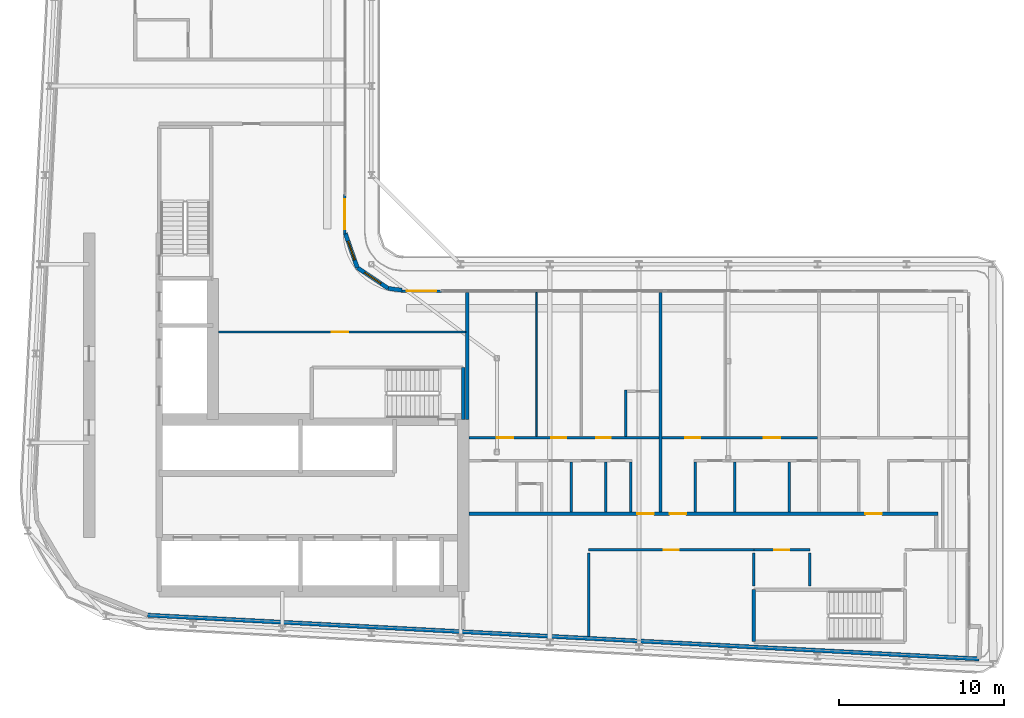
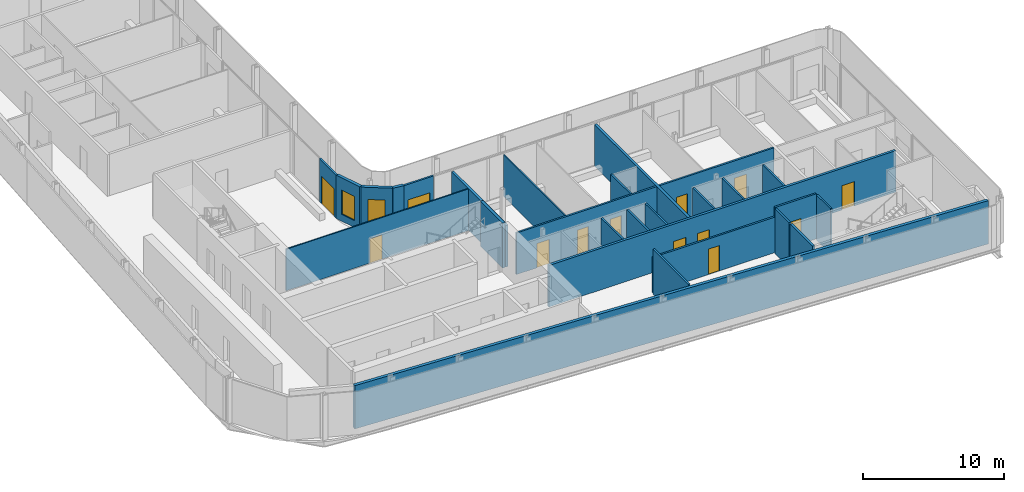
# One storey, part 11 of 21: 27 walls, 13 doors, 2 windows, 15 openings.
"""IFC4 building model written with IfcOpenShell, lengths in metres."""

from ifc_helpers import new_model, si_unit, direction, frame, frame_2d, origin, place, context, subcontext, project, spatial, rectangle, extrude, source, transform, mapped, material, layer, layer_set, type_object, element, fill, save


model = new_model("IFC4")

# Units and contexts
model_context = context("Model", 3, precision=1e-05, world=origin(), true_north=direction((0.0, 1.0)))
body_context = subcontext(model_context, "Body", "Model", "MODEL_VIEW")
ifc_project = project(units=[si_unit("LENGTHUNIT", "METRE"), si_unit("AREAUNIT", "SQUARE_METRE"), si_unit("VOLUMEUNIT", "CUBIC_METRE"), si_unit("PLANEANGLEUNIT", "RADIAN"), si_unit("MASSUNIT", "GRAM", prefix="KILO")], contexts=[model_context])

# Site, building, storey
site_placement = place(None, origin())
site = spatial("IfcSite", under=ifc_project, at=site_placement, CompositionType="ELEMENT")
building_placement = place(site_placement, origin())
building = spatial("IfcBuilding", under=site, at=building_placement, Name="Kheshtan School and Residences Tower", CompositionType="ELEMENT")
storey_placement = place(building_placement, frame((0.0, 0.0, 220.10009765625)))
storey = spatial("IfcBuildingStorey", under=building, at=storey_placement, Name="L51", CompositionType="ELEMENT", Elevation=220.10009765625)

# Wall, openings, doors
ifc_material_1 = material(Name="Gypsum board on steel studs with fire boards", Category="steel")
ifc_layer_1 = layer(ifc_material_1, 0.199951171875)
ifc_layer_set_1 = layer_set([ifc_layer_1], Name="Corridor wall 200")
wall_type_1 = type_object("IfcWallType", Name="Corridor wall 200", PredefinedType="PARTITIONING", material=ifc_layer_set_1)
wall_1_placement = place(storey_placement, frame((53.4990234375, 30.5, 0.0), z_axis=(0.0, 0.0, 1.0), x_axis=(1.0, 0.0, 0.0)))
wall_1 = element("IfcWall", 1, at=wall_1_placement, inside=storey, type_object=wall_type_1, Name="Partition L51-024", PredefinedType="PARTITIONING", context=body_context, shape_type="SweptSolid", body=[
    extrude(rectangle(XDim=28.40087890625, YDim=0.199951171875, at=frame_2d((14.200439453125, 0.0))), origin(), (0.0, 0.0, 1.0), 3.599853515625),
])
opening_1_placement = place(wall_1_placement, frame((10.200927734375, 0.0, 0.0)))
opening_1 = element("IfcOpeningElement", 2, at=opening_1_placement, cuts=wall_1, Name="Opening D50-004", PredefinedType="OPENING", context=body_context, shape_type="SweptSolid", body=[
    extrude(rectangle(XDim=1.0, YDim=2.10009765625, at=frame_2d((0.5, 1.050048828125))), frame((0.0, 0.10986328125, 0.0), z_axis=(0.0, -1.0, 0.0), x_axis=(1.0, 0.0, 0.0)), (0.0, 0.0, 1.0), 0.219970703125),
])
opening_2_placement = place(wall_1_placement, frame((12.15087890625, 0.0, 0.0)))
opening_2 = element("IfcOpeningElement", 3, at=opening_2_placement, cuts=wall_1, Name="Opening D50-013", PredefinedType="OPENING", context=body_context, shape_type="SweptSolid", body=[
    extrude(rectangle(XDim=1.0, YDim=2.10009765625, at=frame_2d((0.5, 1.050048828125))), frame((0.0, 0.10986328125, 0.0), z_axis=(0.0, -1.0, 0.0), x_axis=(1.0, 0.0, 0.0)), (0.0, 0.0, 1.0), 0.219970703125),
])
opening_3_placement = place(wall_1_placement, frame((24.0009765625, 0.0, 0.0)))
opening_3 = element("IfcOpeningElement", 4, at=opening_3_placement, cuts=wall_1, Name="Opening D50-019", PredefinedType="OPENING", context=body_context, shape_type="SweptSolid", body=[
    extrude(rectangle(XDim=1.0, YDim=2.10009765625, at=frame_2d((0.5, 1.050048828125))), frame((0.0, 0.10986328125, 0.0), z_axis=(0.0, -1.0, 0.0), x_axis=(1.0, 0.0, 0.0)), (0.0, 0.0, 1.0), 0.219970703125),
])
ifc_material_2 = material(Name="Steel-framed fire-resisting door leaf", Category="steel")
door_type_1 = type_object("IfcDoorType", Name="Fire door FD30S 1000 x 2100", OperationType="SINGLE_SWING_LEFT", PredefinedType="DOOR", material=ifc_material_2)
shared_shape_1 = source(origin(), body_context, "Body", "SweptSolid", [
    extrude(rectangle(XDim=1.0, YDim=2.10009765625, at=frame_2d((0.5, 1.050048828125))), frame((0.0, 0.02490234375, 0.0), z_axis=(0.0, -1.0, 0.0), x_axis=(1.0, 0.0, 0.0)), (0.0, 0.0, 1.0), 0.050048828125),
])
door_1_placement = place(opening_1_placement, origin())
door_1 = element("IfcDoor", 5, at=door_1_placement, inside=storey, type_object=door_type_1, Name="Door D50-004", OperationType="SINGLE_SWING_RIGHT", OverallHeight=2.10009765625, OverallWidth=1.0, PredefinedType="DOOR", context=body_context, shape_type="MappedRepresentation", body=[
    mapped(shared_shape_1, transform((0.0, 0.0, 0.0), x_axis=(1.0, 0.0, 0.0), y_axis=(0.0, 1.0, 0.0), z_axis=(0.0, 0.0, 1.0), scale=1.0)),
])
fill(opening_1, door_1)
door_2_placement = place(opening_2_placement, origin())
door_2 = element("IfcDoor", 6, at=door_2_placement, inside=storey, type_object=door_type_1, Name="Door D50-013", OperationType="SINGLE_SWING_RIGHT", OverallHeight=2.10009765625, OverallWidth=1.0, PredefinedType="DOOR", context=body_context, shape_type="MappedRepresentation", body=[
    mapped(shared_shape_1, transform((0.0, 0.0, 0.0), x_axis=(1.0, 0.0, 0.0), y_axis=(0.0, 1.0, 0.0), z_axis=(0.0, 0.0, 1.0), scale=1.0)),
])
fill(opening_2, door_2)
door_3_placement = place(opening_3_placement, origin())
door_3 = element("IfcDoor", 7, at=door_3_placement, inside=storey, type_object=door_type_1, Name="Door D50-019", OperationType="SINGLE_SWING_RIGHT", OverallHeight=2.10009765625, OverallWidth=1.0, PredefinedType="DOOR", context=body_context, shape_type="MappedRepresentation", body=[
    mapped(shared_shape_1, transform((0.0, 0.0, 0.0), x_axis=(1.0, 0.0, 0.0), y_axis=(0.0, 1.0, 0.0), z_axis=(0.0, 0.0, 1.0), scale=1.0)),
])
fill(opening_3, door_3)

# Wall, opening, window
ifc_material_3 = material(Name="Concrete C40/50 with ceramic cladding and mineral wool insulation", Category="concrete")
ifc_layer_2 = layer(ifc_material_3, 0.25)
ifc_layer_set_2 = layer_set([ifc_layer_2], Name="External wall 250 ceramic clad")
wall_type_2 = type_object("IfcWallType", Name="External wall 250 ceramic clad", PredefinedType="SOLIDWALL", material=ifc_layer_set_2)
wall_2_placement = place(storey_placement, frame((46.01806640625, 47.470947265625, 0.0), z_axis=(0.0, 0.0, 1.0), x_axis=(0.328791208903, -0.944402637093, 0.0)))
wall_2 = element("IfcWall", 8, at=wall_2_placement, inside=storey, type_object=wall_type_2, Name="External wall L51 5", PredefinedType="SOLIDWALL", context=body_context, shape_type="SweptSolid", body=[
    extrude(rectangle(XDim=2.20458984375, YDim=0.25, at=frame_2d((1.102294921875, 0.0))), origin(), (0.0, 0.0, 1.0), 3.75),
])
opening_4_placement = place(wall_2_placement, frame((0.5029296875, 0.0, 0.60009765625)))
opening_4 = element("IfcOpeningElement", 9, at=opening_4_placement, cuts=wall_2, Name="Opening WN-E", PredefinedType="OPENING", context=body_context, shape_type="SweptSolid", body=[
    extrude(rectangle(XDim=1.199951171875, YDim=2.10009765625, at=frame_2d((0.60009765625, 1.050048828125))), frame((0.0, 0.135009765625, 0.0), z_axis=(0.0, -1.0, 0.0), x_axis=(1.0, 0.0, 0.0)), (0.0, 0.0, 1.0), 0.27001953125),
])
ifc_material_4 = material(Name="Clear low-e glass in thermally broken aluminium frame", Category="aluminium")
window_type = type_object("IfcWindowType", Name="Window WN-E", PartitioningType="SINGLE_PANEL", PredefinedType="WINDOW", material=ifc_material_4)
shared_shape_2 = source(origin(), body_context, "Body", "SweptSolid", [
    extrude(rectangle(XDim=1.199951171875, YDim=2.10009765625, at=frame_2d((0.60009765625, 1.050048828125))), frame((0.0, 0.030029296875, 0.0), z_axis=(0.0, -1.0, 0.0), x_axis=(1.0, 0.0, 0.0)), (0.0, 0.0, 1.0), 0.06005859375),
])
window_1_placement = place(opening_4_placement, origin())
window_1 = element("IfcWindow", 10, at=window_1_placement, inside=storey, type_object=window_type, Name="Window L51 5", OverallHeight=2.10009765625, OverallWidth=1.199951171875, PartitioningType="SINGLE_PANEL", PredefinedType="WINDOW", context=body_context, shape_type="MappedRepresentation", body=[
    mapped(shared_shape_2, transform((0.0, 0.0, 0.0), x_axis=(1.0, 0.0, 0.0), y_axis=(0.0, 1.0, 0.0), z_axis=(0.0, 0.0, 1.0), scale=1.0)),
])
fill(opening_4, window_1)

wall_3_placement = place(storey_placement, frame((46.742919921875, 45.388916015625, 0.0), z_axis=(0.0, 0.0, 1.0), x_axis=(0.831449265529, -0.555600682912, 0.0)))
wall_3 = element("IfcWall", 11, at=wall_3_placement, inside=storey, type_object=wall_type_2, Name="External wall L51 6", PredefinedType="SOLIDWALL", context=body_context, shape_type="SweptSolid", body=[
    extrude(rectangle(XDim=2.25146484375, YDim=0.25, at=frame_2d((1.125732421875, 0.0))), origin(), (0.0, 0.0, 1.0), 3.75),
])
opening_5_placement = place(wall_3_placement, frame((0.52490234375, 0.0, 0.60009765625)))
opening_5 = element("IfcOpeningElement", 12, at=opening_5_placement, cuts=wall_3, Name="Opening WN-E", PredefinedType="OPENING", context=body_context, shape_type="SweptSolid", body=[
    extrude(rectangle(XDim=1.199951171875, YDim=2.10009765625, at=frame_2d((0.60009765625, 1.050048828125))), frame((0.0, 0.135009765625, 0.0), z_axis=(0.0, -1.0, 0.0), x_axis=(1.0, 0.0, 0.0)), (0.0, 0.0, 1.0), 0.27001953125),
])
window_2_placement = place(opening_5_placement, origin())
window_2 = element("IfcWindow", 13, at=window_2_placement, inside=storey, type_object=window_type, Name="Window L51 6", OverallHeight=2.10009765625, OverallWidth=1.199951171875, PartitioningType="SINGLE_PANEL", PredefinedType="WINDOW", context=body_context, shape_type="MappedRepresentation", body=[
    mapped(shared_shape_2, transform((0.0, 0.0, 0.0), x_axis=(1.0, 0.0, 0.0), y_axis=(0.0, 1.0, 0.0), z_axis=(0.0, 0.0, 1.0), scale=1.0)),
])
fill(opening_5, window_2)

# Walls
wall_4_placement = place(storey_placement, frame((48.614990234375, 44.137939453125, 0.0), z_axis=(0.0, 0.0, 1.0), x_axis=(0.990741504246, -0.135761819977, 0.0)))
element("IfcWall", 14, at=wall_4_placement, inside=storey, type_object=wall_type_2, Name="External wall L51 7", PredefinedType="SOLIDWALL", context=body_context, shape_type="SweptSolid", body=[
    extrude(rectangle(XDim=0.83984375, YDim=0.25, at=frame_2d((0.419921875, 0.0))), origin(), (0.0, 0.0, 1.0), 3.75),
])
wall_5_placement = place(storey_placement, frame((84.385986328125, 21.702880859375, 0.0), z_axis=(0.0, 0.0, 1.0), x_axis=(-0.998617508267, 0.05256493302, 0.0)))
element("IfcWall", 15, at=wall_5_placement, inside=storey, type_object=wall_type_2, Name="External wall L51 12", PredefinedType="SOLIDWALL", context=body_context, shape_type="SweptSolid", body=[
    extrude(rectangle(XDim=50.41650390625, YDim=0.25, at=frame_2d((25.208251953125, 0.0))), origin(), (0.0, 0.0, 1.0), 3.75),
])

# Wall, opening, door
ifc_material_5 = material(Name="Aluminium frame wall with insulated infill", Category="aluminium")
ifc_layer_3 = layer(ifc_material_5, 0.14990234375)
ifc_layer_set_3 = layer_set([ifc_layer_3], Name="Glazing frame wall 150")
wall_type_3 = type_object("IfcWallType", Name="Glazing frame wall 150", PredefinedType="SOLIDWALL", material=ifc_layer_set_3)
wall_6_placement = place(storey_placement, frame((45.97509765625, 49.830078125, 0.0), z_axis=(0.0, 0.0, 1.0), x_axis=(0.0, -1.0, 0.0)))
wall_6 = element("IfcWall", 16, at=wall_6_placement, inside=storey, type_object=wall_type_3, Name="Balcony door wall L51 4.4", PredefinedType="SOLIDWALL", context=body_context, shape_type="SweptSolid", body=[
    extrude(rectangle(XDim=2.400146484375, YDim=0.14990234375, at=frame_2d((1.2001953125, 0.0))), origin(), (0.0, 0.0, 1.0), 3.75),
])
opening_6_placement = place(wall_6_placement, frame((0.300048828125, 0.0, 0.0)))
opening_6 = element("IfcOpeningElement", 17, at=opening_6_placement, cuts=wall_6, Name="Opening BD", PredefinedType="OPENING", context=body_context, shape_type="SweptSolid", body=[
    extrude(rectangle(XDim=1.800048828125, YDim=2.39990234375, at=frame_2d((0.89990234375, 1.199951171875))), frame((0.0, 0.0849609375, 0.0), z_axis=(0.0, -1.0, 0.0), x_axis=(1.0, 0.0, 0.0)), (0.0, 0.0, 1.0), 0.169921875),
])
door_type_2 = type_object("IfcDoorType", Name="Balcony sliding door", OperationType="SLIDING_TO_LEFT", PredefinedType="DOOR", material=ifc_material_4)
shared_shape_3 = source(origin(), body_context, "Body", "SweptSolid", [
    extrude(rectangle(XDim=1.800048828125, YDim=2.39990234375, at=frame_2d((0.89990234375, 1.199951171875))), frame((0.0, 0.02490234375, 0.0), z_axis=(0.0, -1.0, 0.0), x_axis=(1.0, 0.0, 0.0)), (0.0, 0.0, 1.0), 0.050048828125),
])
door_4_placement = place(opening_6_placement, origin())
door_4 = element("IfcDoor", 18, at=door_4_placement, inside=storey, type_object=door_type_2, Name="Balcony door L51 4.4", OperationType="SLIDING_TO_LEFT", OverallHeight=2.39990234375, OverallWidth=1.800048828125, PredefinedType="DOOR", context=body_context, shape_type="MappedRepresentation", body=[
    mapped(shared_shape_3, transform((0.0, 0.0, 0.0), x_axis=(1.0, 0.0, 0.0), y_axis=(0.0, 1.0, 0.0), z_axis=(0.0, 0.0, 1.0), scale=1.0)),
])
fill(opening_6, door_4)

wall_7_placement = place(storey_placement, frame((49.429931640625, 43.97509765625, 0.0), z_axis=(0.0, 0.0, 1.0), x_axis=(1.0, 0.0, 0.0)))
wall_7 = element("IfcWall", 19, at=wall_7_placement, inside=storey, type_object=wall_type_3, Name="Balcony door wall L51 8.1", PredefinedType="SOLIDWALL", context=body_context, shape_type="SweptSolid", body=[
    extrude(rectangle(XDim=2.400146484375, YDim=0.14990234375, at=frame_2d((1.2001953125, 0.0))), origin(), (0.0, 0.0, 1.0), 3.75),
])
opening_7_placement = place(wall_7_placement, frame((0.300048828125, 0.0, 0.0)))
opening_7 = element("IfcOpeningElement", 20, at=opening_7_placement, cuts=wall_7, Name="Opening BD", PredefinedType="OPENING", context=body_context, shape_type="SweptSolid", body=[
    extrude(rectangle(XDim=1.800048828125, YDim=2.39990234375, at=frame_2d((0.89990234375, 1.199951171875))), frame((0.0, 0.0849609375, 0.0), z_axis=(0.0, -1.0, 0.0), x_axis=(1.0, 0.0, 0.0)), (0.0, 0.0, 1.0), 0.169921875),
])
door_5_placement = place(opening_7_placement, origin())
door_5 = element("IfcDoor", 21, at=door_5_placement, inside=storey, type_object=door_type_2, Name="Balcony door L51 8.1", OperationType="SLIDING_TO_LEFT", OverallHeight=2.39990234375, OverallWidth=1.800048828125, PredefinedType="DOOR", context=body_context, shape_type="MappedRepresentation", body=[
    mapped(shared_shape_3, transform((0.0, 0.0, 0.0), x_axis=(1.0, 0.0, 0.0), y_axis=(0.0, 1.0, 0.0), z_axis=(0.0, 0.0, 1.0), scale=1.0)),
])
fill(opening_7, door_5)

ifc_material_6 = material(Name="Gypsum board on steel studs", Category="steel")
ifc_layer_4 = layer(ifc_material_6, 0.10009765625)
ifc_layer_set_4 = layer_set([ifc_layer_4], Name="Gypsum partition 100")
wall_type_4 = type_object("IfcWallType", Name="Gypsum partition 100", PredefinedType="PARTITIONING", material=ifc_layer_set_4)
wall_8_placement = place(storey_placement, frame((38.34912109375, 41.5, 0.0), z_axis=(0.0, 0.0, 1.0), x_axis=(1.0, 0.0, 0.0)))
wall_8 = element("IfcWall", 22, at=wall_8_placement, inside=storey, type_object=wall_type_4, Name="Partition L51-021", PredefinedType="PARTITIONING", context=body_context, shape_type="SweptSolid", body=[
    extrude(rectangle(XDim=14.950927734375, YDim=0.10009765625, at=frame_2d((7.4755859375, 0.0))), origin(), (0.0, 0.0, 1.0), 3.599853515625),
])
opening_8_placement = place(wall_8_placement, frame((6.85107421875, 0.0, 0.0)))
opening_8 = element("IfcOpeningElement", 23, at=opening_8_placement, cuts=wall_8, Name="Opening D50-035", PredefinedType="OPENING", context=body_context, shape_type="SweptSolid", body=[
    extrude(rectangle(XDim=1.0, YDim=2.10009765625, at=frame_2d((0.5, 1.050048828125))), frame((0.0, 0.06005859375, 0.0), z_axis=(0.0, -1.0, 0.0), x_axis=(1.0, 0.0, 0.0)), (0.0, 0.0, 1.0), 0.1201171875),
])
ifc_material_7 = material(Name="Veneered timber door leaf", Category="wood")
door_type_3 = type_object("IfcDoorType", Name="Door 1000 x 2100", OperationType="SINGLE_SWING_LEFT", PredefinedType="DOOR", material=ifc_material_7)
shared_shape_4 = source(origin(), body_context, "Body", "SweptSolid", [
    extrude(rectangle(XDim=1.0, YDim=2.10009765625, at=frame_2d((0.5, 1.050048828125))), frame((0.0, 0.02490234375, 0.0), z_axis=(0.0, -1.0, 0.0), x_axis=(1.0, 0.0, 0.0)), (0.0, 0.0, 1.0), 0.050048828125),
])
door_6_placement = place(opening_8_placement, origin())
door_6 = element("IfcDoor", 24, at=door_6_placement, inside=storey, type_object=door_type_3, Name="Door D50-035", OperationType="SINGLE_SWING_RIGHT", OverallHeight=2.10009765625, OverallWidth=1.0, PredefinedType="DOOR", context=body_context, shape_type="MappedRepresentation", body=[
    mapped(shared_shape_4, transform((0.0, 0.0, 0.0), x_axis=(1.0, 0.0, 0.0), y_axis=(0.0, 1.0, 0.0), z_axis=(0.0, 0.0, 1.0), scale=1.0)),
])
fill(opening_8, door_6)

# Wall
wall_9_placement = place(storey_placement, frame((57.60009765625, 35.175048828125, 0.0), z_axis=(0.0, 0.0, 1.0), x_axis=(0.0, 1.0, 0.0)))
element("IfcWall", 25, at=wall_9_placement, inside=storey, type_object=wall_type_4, Name="Partition L51-029", PredefinedType="PARTITIONING", context=body_context, shape_type="SweptSolid", body=[
    extrude(rectangle(XDim=8.724853515625, YDim=0.10009765625, at=frame_2d((4.3623046875, 0.0))), origin(), (0.0, 0.0, 1.0), 3.599853515625),
])

# Wall, opening, door
ifc_material_8 = material(Name="Fire-board shaft wall system")
ifc_layer_5 = layer(ifc_material_8, 0.14990234375)
ifc_layer_set_5 = layer_set([ifc_layer_5], Name="Service room wall 150")
wall_type_5 = type_object("IfcWallType", Name="Service room wall 150", PredefinedType="PARTITIONING", material=ifc_layer_set_5)
wall_10_placement = place(storey_placement, frame((60.75, 28.300048828125, 0.0), z_axis=(0.0, 0.0, 1.0), x_axis=(1.0, 0.0, 0.0)))
wall_10 = element("IfcWall", 26, at=wall_10_placement, inside=storey, type_object=wall_type_5, Name="Service room wall", PredefinedType="PARTITIONING", context=body_context, shape_type="SweptSolid", body=[
    extrude(rectangle(XDim=10.0, YDim=0.14990234375, at=frame_2d((5.0, 0.0))), origin(), (0.0, 0.0, 1.0), 3.072021484375),
])
opening_9_placement = place(wall_10_placement, frame((4.550048828125, 0.0, 0.0)))
opening_9 = element("IfcOpeningElement", 27, at=opening_9_placement, cuts=wall_10, Name="Opening SR90", PredefinedType="OPENING", context=body_context, shape_type="SweptSolid", body=[
    extrude(rectangle(XDim=0.89990234375, YDim=2.199951171875, at=frame_2d((0.449951171875, 1.10009765625))), frame((0.0, 0.0849609375, 0.0), z_axis=(0.0, -1.0, 0.0), x_axis=(1.0, 0.0, 0.0)), (0.0, 0.0, 1.0), 0.169921875),
])
ifc_material_9 = material(Name="Steel door leaf, galvanised", Category="steel")
door_type_4 = type_object("IfcDoorType", Name="Service room door 900 steel 90 min", OperationType="SINGLE_SWING_LEFT", PredefinedType="DOOR", material=ifc_material_9)
shared_shape_5 = source(origin(), body_context, "Body", "SweptSolid", [
    extrude(rectangle(XDim=0.89990234375, YDim=2.199951171875, at=frame_2d((0.449951171875, 1.10009765625))), frame((0.0, 0.02490234375, 0.0), z_axis=(0.0, -1.0, 0.0), x_axis=(1.0, 0.0, 0.0)), (0.0, 0.0, 1.0), 0.050048828125),
])
door_7_placement = place(opening_9_placement, origin())
door_7 = element("IfcDoor", 28, at=door_7_placement, inside=storey, type_object=door_type_4, Name="Service room door", OperationType="SINGLE_SWING_LEFT", OverallHeight=2.199951171875, OverallWidth=0.89990234375, PredefinedType="DOOR", context=body_context, shape_type="MappedRepresentation", body=[
    mapped(shared_shape_5, transform((0.0, 0.0, 0.0), x_axis=(1.0, 0.0, 0.0), y_axis=(0.0, 1.0, 0.0), z_axis=(0.0, 0.0, 1.0), scale=1.0)),
])
fill(opening_9, door_7)

# Walls
wall_11_placement = place(storey_placement, frame((60.75, 23.074951171875, 0.0), z_axis=(0.0, 0.0, 1.0), x_axis=(0.0, 1.0, 0.0)))
element("IfcWall", 29, at=wall_11_placement, inside=storey, type_object=wall_type_5, Name="Service room wall", PredefinedType="PARTITIONING", context=body_context, shape_type="SweptSolid", body=[
    extrude(rectangle(XDim=5.030029296875, YDim=0.14990234375, at=frame_2d((2.51513671875, 0.0))), origin(), (0.0, 0.0, 1.0), 3.89990234375),
])
wall_12_placement = place(storey_placement, frame((70.75, 26.1201171875, 0.0), z_axis=(0.0, 0.0, 1.0), x_axis=(0.0, 1.0, 0.0)))
element("IfcWall", 30, at=wall_12_placement, inside=storey, type_object=wall_type_5, Name="Service room wall", PredefinedType="PARTITIONING", context=body_context, shape_type="SweptSolid", body=[
    extrude(rectangle(XDim=1.98486328125, YDim=0.14990234375, at=frame_2d((0.992431640625, 0.0))), origin(), (0.0, 0.0, 1.0), 3.89990234375),
])

# Wall, opening, door
wall_13_placement = place(storey_placement, frame((70.75, 28.300048828125, 0.0), z_axis=(0.0, 0.0, 1.0), x_axis=(1.0, 0.0, 0.0)))
wall_13 = element("IfcWall", 31, at=wall_13_placement, inside=storey, type_object=wall_type_5, Name="Service room wall", PredefinedType="PARTITIONING", context=body_context, shape_type="SweptSolid", body=[
    extrude(rectangle(XDim=3.39404296875, YDim=0.14990234375, at=frame_2d((1.697021484375, 0.0))), origin(), (0.0, 0.0, 1.0), 3.89990234375),
])
opening_10_placement = place(wall_13_placement, frame((1.2470703125, 0.0, 0.0)))
opening_10 = element("IfcOpeningElement", 32, at=opening_10_placement, cuts=wall_13, Name="Opening SR90", PredefinedType="OPENING", context=body_context, shape_type="SweptSolid", body=[
    extrude(rectangle(XDim=0.89990234375, YDim=2.199951171875, at=frame_2d((0.449951171875, 1.10009765625))), frame((0.0, 0.0849609375, 0.0), z_axis=(0.0, -1.0, 0.0), x_axis=(1.0, 0.0, 0.0)), (0.0, 0.0, 1.0), 0.169921875),
])
door_8_placement = place(opening_10_placement, origin())
door_8 = element("IfcDoor", 33, at=door_8_placement, inside=storey, type_object=door_type_4, Name="Service room door", OperationType="SINGLE_SWING_LEFT", OverallHeight=2.199951171875, OverallWidth=0.89990234375, PredefinedType="DOOR", context=body_context, shape_type="MappedRepresentation", body=[
    mapped(shared_shape_5, transform((0.0, 0.0, 0.0), x_axis=(1.0, 0.0, 0.0), y_axis=(0.0, 1.0, 0.0), z_axis=(0.0, 0.0, 1.0), scale=1.0)),
])
fill(opening_10, door_8)

# Walls
wall_14_placement = place(storey_placement, frame((74.14404296875, 26.1201171875, 0.0), z_axis=(0.0, 0.0, 1.0), x_axis=(0.0, 1.0, 0.0)))
element("IfcWall", 34, at=wall_14_placement, inside=storey, type_object=wall_type_5, Name="Service room wall", PredefinedType="PARTITIONING", context=body_context, shape_type="SweptSolid", body=[
    extrude(rectangle(XDim=1.98486328125, YDim=0.14990234375, at=frame_2d((0.992431640625, 0.0))), origin(), (0.0, 0.0, 1.0), 3.89990234375),
])
ifc_material_10 = material(Name="Concrete C40/50", Category="concrete")
ifc_layer_6 = layer(ifc_material_10, 0.199951171875)
ifc_layer_set_6 = layer_set([ifc_layer_6], Name="Stair enclosure wall 200 Concrete C40/50")
wall_type_6 = type_object("IfcWallType", Name="Stair enclosure wall 200 Concrete C40/50", PredefinedType="SHEAR", material=ifc_layer_set_6)
wall_15_placement = place(storey_placement, frame((53.14990234375, 36.199951171875, 0.0), z_axis=(0.0, 0.0, 1.0), x_axis=(0.0, 1.0, 0.0)))
element("IfcWall", 35, at=wall_15_placement, inside=storey, type_object=wall_type_6, Name="Stair enclosure wall ST1", PredefinedType="SHEAR", context=body_context, shape_type="SweptSolid", body=[
    extrude(rectangle(XDim=3.150146484375, YDim=0.199951171875, at=frame_2d((1.5751953125, 0.0))), origin(), (0.0, 0.0, 1.0), 3.89990234375),
])
wall_16_placement = place(storey_placement, frame((70.75, 22.75, 0.0), z_axis=(0.0, 0.0, 1.0), x_axis=(0.0, 1.0, 0.0)))
element("IfcWall", 36, at=wall_16_placement, inside=storey, type_object=wall_type_6, Name="Stair enclosure wall ST5", PredefinedType="SHEAR", context=body_context, shape_type="SweptSolid", body=[
    extrude(rectangle(XDim=3.14990234375, YDim=0.199951171875, at=frame_2d((1.574951171875, 0.0))), origin(), (0.0, 0.0, 1.0), 3.89990234375),
])
ifc_material_11 = material(Name="Twin gypsum board on steel studs with mineral wool", Category="steel")
ifc_layer_7 = layer(ifc_material_11, 0.199951171875)
ifc_layer_set_7 = layer_set([ifc_layer_7], Name="Unit demising wall 200")
wall_type_7 = type_object("IfcWallType", Name="Unit demising wall 200", PredefinedType="PARTITIONING", material=ifc_layer_set_7)
wall_17_placement = place(storey_placement, frame((53.39990234375, 36.198974609375, 0.0), z_axis=(0.0, 0.0, 1.0), x_axis=(0.0, 1.0, 0.0)))
element("IfcWall", 37, at=wall_17_placement, inside=storey, type_object=wall_type_7, Name="Partition L51-023", PredefinedType="PARTITIONING", context=body_context, shape_type="SweptSolid", body=[
    extrude(rectangle(XDim=7.700927734375, YDim=0.199951171875, at=frame_2d((3.8505859375, 0.0))), origin(), (0.0, 0.0, 1.0), 3.599853515625),
])
wall_18_placement = place(storey_placement, frame((65.10009765625, 30.60009765625, 0.0), z_axis=(0.0, 0.0, 1.0), x_axis=(0.0, 1.0, 0.0)))
element("IfcWall", 38, at=wall_18_placement, inside=storey, type_object=wall_type_7, Name="Partition L51-037", PredefinedType="PARTITIONING", context=body_context, shape_type="SweptSolid", body=[
    extrude(rectangle(XDim=13.2998046875, YDim=0.199951171875, at=frame_2d((6.64990234375, 0.0))), origin(), (0.0, 0.0, 1.0), 3.599853515625),
])

# Wall, openings, doors
ifc_material_12 = material(Name="Moisture-resistant gypsum board on steel studs", Category="steel")
ifc_layer_8 = layer(ifc_material_12, 0.14990234375)
ifc_layer_set_8 = layer_set([ifc_layer_8], Name="Wet-room partition 150")
wall_type_8 = type_object("IfcWallType", Name="Wet-room partition 150", PredefinedType="PARTITIONING", material=ifc_layer_set_8)
wall_19_placement = place(storey_placement, frame((53.4990234375, 35.10009765625, 0.0), z_axis=(0.0, 0.0, 1.0), x_axis=(1.0, 0.0, 0.0)))
wall_19 = element("IfcWall", 39, at=wall_19_placement, inside=storey, type_object=wall_type_8, Name="Partition L51-026", PredefinedType="PARTITIONING", context=body_context, shape_type="SweptSolid", body=[
    extrude(rectangle(XDim=11.5009765625, YDim=0.14990234375, at=frame_2d((5.75048828125, 0.0))), origin(), (0.0, 0.0, 1.0), 3.599853515625),
])
opening_11_placement = place(wall_19_placement, frame((5.0009765625, 0.0, 0.0)))
opening_11 = element("IfcOpeningElement", 40, at=opening_11_placement, cuts=wall_19, Name="Opening D50-002", PredefinedType="OPENING", context=body_context, shape_type="SweptSolid", body=[
    extrude(rectangle(XDim=0.89990234375, YDim=2.10009765625, at=frame_2d((0.449951171875, 1.050048828125))), frame((0.0, 0.0849609375, 0.0), z_axis=(0.0, -1.0, 0.0), x_axis=(1.0, 0.0, 0.0)), (0.0, 0.0, 1.0), 0.169921875),
])
opening_12_placement = place(wall_19_placement, frame((1.700927734375, 0.0, 0.0)))
opening_12 = element("IfcOpeningElement", 41, at=opening_12_placement, cuts=wall_19, Name="Opening D50-006", PredefinedType="OPENING", context=body_context, shape_type="SweptSolid", body=[
    extrude(rectangle(XDim=1.0, YDim=2.10009765625, at=frame_2d((0.5, 1.050048828125))), frame((0.0, 0.0849609375, 0.0), z_axis=(0.0, -1.0, 0.0), x_axis=(1.0, 0.0, 0.0)), (0.0, 0.0, 1.0), 0.169921875),
])
opening_13_placement = place(wall_19_placement, frame((7.700927734375, 0.0, 0.0)))
opening_13 = element("IfcOpeningElement", 42, at=opening_13_placement, cuts=wall_19, Name="Opening D50-009", PredefinedType="OPENING", context=body_context, shape_type="SweptSolid", body=[
    extrude(rectangle(XDim=0.89990234375, YDim=2.10009765625, at=frame_2d((0.449951171875, 1.050048828125))), frame((0.0, 0.0849609375, 0.0), z_axis=(0.0, -1.0, 0.0), x_axis=(1.0, 0.0, 0.0)), (0.0, 0.0, 1.0), 0.169921875),
])
door_9_placement = place(opening_12_placement, origin())
door_9 = element("IfcDoor", 43, at=door_9_placement, inside=storey, type_object=door_type_3, Name="Door D50-006", OperationType="SINGLE_SWING_RIGHT", OverallHeight=2.10009765625, OverallWidth=1.0, PredefinedType="DOOR", context=body_context, shape_type="MappedRepresentation", body=[
    mapped(shared_shape_4, transform((0.0, 0.0, 0.0), x_axis=(1.0, 0.0, 0.0), y_axis=(0.0, 1.0, 0.0), z_axis=(0.0, 0.0, 1.0), scale=1.0)),
])
fill(opening_12, door_9)
door_type_5 = type_object("IfcDoorType", Name="Door 900 x 2100", OperationType="SINGLE_SWING_LEFT", PredefinedType="DOOR", material=ifc_material_7)
shared_shape_6 = source(origin(), body_context, "Body", "SweptSolid", [
    extrude(rectangle(XDim=0.89990234375, YDim=2.10009765625, at=frame_2d((0.449951171875, 1.050048828125))), frame((0.0, 0.02490234375, 0.0), z_axis=(0.0, -1.0, 0.0), x_axis=(1.0, 0.0, 0.0)), (0.0, 0.0, 1.0), 0.050048828125),
])
door_10_placement = place(opening_11_placement, origin())
door_10 = element("IfcDoor", 44, at=door_10_placement, inside=storey, type_object=door_type_5, Name="Door D50-002", OperationType="SINGLE_SWING_LEFT", OverallHeight=2.10009765625, OverallWidth=0.89990234375, PredefinedType="DOOR", context=body_context, shape_type="MappedRepresentation", body=[
    mapped(shared_shape_6, transform((0.0, 0.0, 0.0), x_axis=(1.0, 0.0, 0.0), y_axis=(0.0, 1.0, 0.0), z_axis=(0.0, 0.0, 1.0), scale=1.0)),
])
fill(opening_11, door_10)
door_11_placement = place(opening_13_placement, origin())
door_11 = element("IfcDoor", 45, at=door_11_placement, inside=storey, type_object=door_type_5, Name="Door D50-009", OperationType="SINGLE_SWING_RIGHT", OverallHeight=2.10009765625, OverallWidth=0.89990234375, PredefinedType="DOOR", context=body_context, shape_type="MappedRepresentation", body=[
    mapped(shared_shape_6, transform((0.0, 0.0, 0.0), x_axis=(1.0, 0.0, 0.0), y_axis=(0.0, 1.0, 0.0), z_axis=(0.0, 0.0, 1.0), scale=1.0)),
])
fill(opening_13, door_11)

# Walls
for number, where, z_axis, x_axis, name in (
    (46, (59.699951171875, 30.60009765625, 0.0), (0.0, 0.0, 1.0), (0.0, 1.0, 0.0), "Partition L51-031"),
    (47, (61.800048828125, 30.60009765625, 0.0), (0.0, 0.0, 1.0), (0.0, 1.0, 0.0), "Partition L51-033"),
):
    element("IfcWall", number, at=place(storey_placement, frame(where, z_axis=z_axis, x_axis=x_axis)), inside=storey, type_object=wall_type_8, Name=name, PredefinedType="PARTITIONING", context=body_context, shape_type="SweptSolid", body=[
        extrude(rectangle(XDim=3.02490234375, YDim=0.14990234375, at=frame_2d((1.512451171875, 0.0))), origin(), (0.0, 0.0, 1.0), 3.599853515625),
    ])
wall_20_placement = place(storey_placement, frame((63.0, 35.175048828125, 0.0), z_axis=(0.0, 0.0, 1.0), x_axis=(0.0, 1.0, 0.0)))
element("IfcWall", 48, at=wall_20_placement, inside=storey, type_object=wall_type_8, Name="Partition L51-034", PredefinedType="PARTITIONING", context=body_context, shape_type="SweptSolid", body=[
    extrude(rectangle(XDim=2.800048828125, YDim=0.14990234375, at=frame_2d((1.39990234375, 0.0))), origin(), (0.0, 0.0, 1.0), 3.599853515625),
])
wall_21_placement = place(storey_placement, frame((63.300048828125, 30.60009765625, 0.0), z_axis=(0.0, 0.0, 1.0), x_axis=(0.0, 1.0, 0.0)))
element("IfcWall", 49, at=wall_21_placement, inside=storey, type_object=wall_type_8, Name="Partition L51-036", PredefinedType="PARTITIONING", context=body_context, shape_type="SweptSolid", body=[
    extrude(rectangle(XDim=3.02490234375, YDim=0.14990234375, at=frame_2d((1.512451171875, 0.0))), origin(), (0.0, 0.0, 1.0), 3.599853515625),
])

# Wall, openings, doors
wall_22_placement = place(storey_placement, frame((65.199951171875, 35.10009765625, 0.0), z_axis=(0.0, 0.0, 1.0), x_axis=(1.0, 0.0, 0.0)))
wall_22 = element("IfcWall", 50, at=wall_22_placement, inside=storey, type_object=wall_type_8, Name="Partition L51-038", PredefinedType="PARTITIONING", context=body_context, shape_type="SweptSolid", body=[
    extrude(rectangle(XDim=9.400146484375, YDim=0.14990234375, at=frame_2d((4.7001953125, 0.0))), origin(), (0.0, 0.0, 1.0), 3.599853515625),
])
opening_14_placement = place(wall_22_placement, frame((1.39990234375, 0.0, 0.0)))
opening_14 = element("IfcOpeningElement", 51, at=opening_14_placement, cuts=wall_22, Name="Opening D50-012", PredefinedType="OPENING", context=body_context, shape_type="SweptSolid", body=[
    extrude(rectangle(XDim=0.89990234375, YDim=2.10009765625, at=frame_2d((0.449951171875, 1.050048828125))), frame((0.0, 0.0849609375, 0.0), z_axis=(0.0, -1.0, 0.0), x_axis=(1.0, 0.0, 0.0)), (0.0, 0.0, 1.0), 0.169921875),
])
opening_15_placement = place(wall_22_placement, frame((6.14990234375, 0.0, 0.0)))
opening_15 = element("IfcOpeningElement", 52, at=opening_15_placement, cuts=wall_22, Name="Opening D50-015", PredefinedType="OPENING", context=body_context, shape_type="SweptSolid", body=[
    extrude(rectangle(XDim=1.0, YDim=2.10009765625, at=frame_2d((0.5, 1.050048828125))), frame((0.0, 0.0849609375, 0.0), z_axis=(0.0, -1.0, 0.0), x_axis=(1.0, 0.0, 0.0)), (0.0, 0.0, 1.0), 0.169921875),
])
door_12_placement = place(opening_15_placement, origin())
door_12 = element("IfcDoor", 53, at=door_12_placement, inside=storey, type_object=door_type_3, Name="Door D50-015", OperationType="SINGLE_SWING_LEFT", OverallHeight=2.10009765625, OverallWidth=1.0, PredefinedType="DOOR", context=body_context, shape_type="MappedRepresentation", body=[
    mapped(shared_shape_4, transform((0.0, 0.0, 0.0), x_axis=(1.0, 0.0, 0.0), y_axis=(0.0, 1.0, 0.0), z_axis=(0.0, 0.0, 1.0), scale=1.0)),
])
fill(opening_15, door_12)
door_13_placement = place(opening_14_placement, origin())
door_13 = element("IfcDoor", 54, at=door_13_placement, inside=storey, type_object=door_type_5, Name="Door D50-012", OperationType="SINGLE_SWING_RIGHT", OverallHeight=2.10009765625, OverallWidth=0.89990234375, PredefinedType="DOOR", context=body_context, shape_type="MappedRepresentation", body=[
    mapped(shared_shape_6, transform((0.0, 0.0, 0.0), x_axis=(1.0, 0.0, 0.0), y_axis=(0.0, 1.0, 0.0), z_axis=(0.0, 0.0, 1.0), scale=1.0)),
])
fill(opening_14, door_13)

# Walls
for number, where, z_axis, x_axis, name in (
    (55, (67.199951171875, 30.60009765625, 0.0), (0.0, 0.0, 1.0), (0.0, 1.0, 0.0), "Partition L51-040"),
    (56, (69.60009765625, 30.60009765625, 0.0), (0.0, 0.0, 1.0), (0.0, 1.0, 0.0), "Partition L51-042"),
    (57, (72.89990234375, 30.60009765625, 0.0), (0.0, 0.0, 1.0), (0.0, 1.0, 0.0), "Partition L51-043"),
):
    element("IfcWall", number, at=place(storey_placement, frame(where, z_axis=z_axis, x_axis=x_axis)), inside=storey, type_object=wall_type_8, Name=name, PredefinedType="PARTITIONING", context=body_context, shape_type="SweptSolid", body=[
        extrude(rectangle(XDim=3.02490234375, YDim=0.14990234375, at=frame_2d((1.512451171875, 0.0))), origin(), (0.0, 0.0, 1.0), 3.599853515625),
    ])

save(model, "model.ifc")
